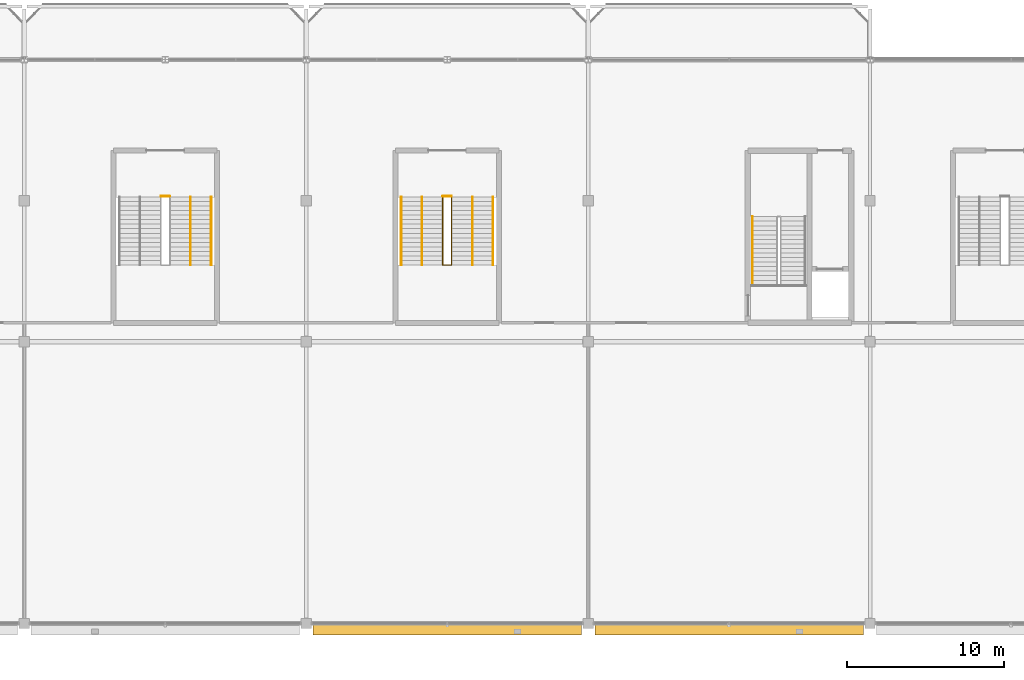
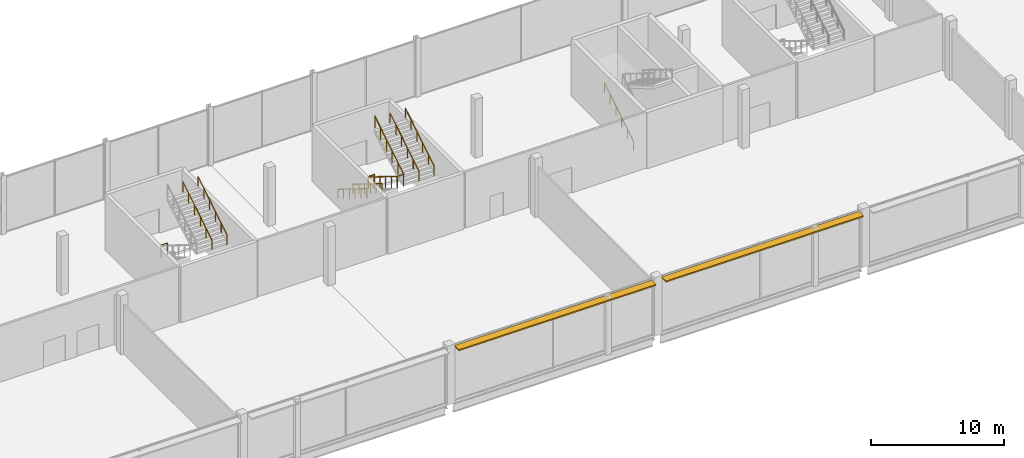
# One storey, part 99 of 113: 10 railings, 2 shading devices.
"""IFC4 building model written with IfcOpenShell, lengths in metres."""

from ifc_helpers import new_model, si_unit, direction, frame, origin, origin_2d, place, context, subcontext, project, spatial, rectangle, circle, extrude, material, type_object, element, save


model = new_model("IFC4")

# Units and contexts
model_context = context("Model", 3, precision=1e-05, world=origin(), true_north=direction((0.0, 1.0)))
body_context = subcontext(model_context, "Body", "Model", "MODEL_VIEW")
ifc_project = project(units=[si_unit("LENGTHUNIT", "METRE"), si_unit("AREAUNIT", "SQUARE_METRE"), si_unit("VOLUMEUNIT", "CUBIC_METRE"), si_unit("PLANEANGLEUNIT", "RADIAN"), si_unit("MASSUNIT", "GRAM", prefix="KILO")], contexts=[model_context])

# Site, building, storey
site_placement = place(None, origin())
site = spatial("IfcSite", under=ifc_project, at=site_placement, CompositionType="ELEMENT")
building_placement = place(site_placement, origin())
building = spatial("IfcBuilding", under=site, at=building_placement, Name="Kisiwana Market Hall", CompositionType="ELEMENT")
storey_placement = place(building_placement, frame((0.0, 0.0, 6.0)))
storey = spatial("IfcBuildingStorey", under=building, at=storey_placement, Name="L01", CompositionType="ELEMENT", Elevation=6.0)

# Railings
ifc_material_1 = material(Name="Steel S275", Category="steel")
railing_type_1 = type_object("IfcRailingType", Name="RL-GUARD-1100", PredefinedType="GUARDRAIL", material=ifc_material_1)
railing_1_placement = place(storey_placement, frame((89.719970703125, 27.2900390625, 0.0)))
element("IfcRailing", 1, at=railing_1_placement, inside=storey, type_object=railing_type_1, Name="Stair ST-S4-L01 landing edge guardrail (RL-444)", PredefinedType="GUARDRAIL", context=body_context, shape_type="SweptSolid", body=[
    extrude(circle(Radius=0.02392578125, at=origin_2d()), frame((0.0, 0.0, 1.076171875), z_axis=(1.0, 0.0, 0.0), x_axis=(0.0, 1.0, 0.0)), (0.0, 0.0, 1.0), 0.56005859375),
    extrude(circle(Radius=0.02099609375, at=origin_2d()), origin(), (0.0, 0.0, 1.0), 1.052001953125),
    extrude(circle(Radius=0.02099609375, at=origin_2d()), frame((0.56005859375, 0.0, 0.0)), (0.0, 0.0, 1.0), 1.052001953125),
])
railing_2_placement = place(storey_placement, frame((107.719970703125, 27.239990234375, 0.0)))
element("IfcRailing", 2, at=railing_2_placement, inside=storey, type_object=railing_type_1, Name="Stair ST-S5-L01 inner-well guardrail (RL-451)", PredefinedType="GUARDRAIL", context=body_context, shape_type="SweptSolid", body=[
    extrude(circle(Radius=0.02392578125, at=origin_2d()), frame((0.0, 0.0, 1.076171875), z_axis=(0.0, -0.849649743971, 0.527347430608), x_axis=(1.0, 0.0, 0.0)), (0.0, 0.0, 1.0), 5.119873046875),
    extrude(circle(Radius=0.02392578125, at=origin_2d()), frame((0.0, -4.35009765625, 3.77587890625), z_axis=(1.0, 0.0, 0.0), x_axis=(0.0, 1.0, 0.0)), (0.0, 0.0, 1.0), 0.56005859375),
    extrude(circle(Radius=0.02392578125, at=origin_2d()), frame((0.56005859375, -4.35009765625, 3.77587890625), z_axis=(0.0, 0.849649743971, 0.527347430608), x_axis=(-1.0, 0.0, 0.0)), (0.0, 0.0, 1.0), 5.119873046875),
    extrude(circle(Radius=0.02099609375, at=origin_2d()), origin(), (0.0, 0.0, 1.0), 1.052001953125),
    extrude(circle(Radius=0.02099609375, at=origin_2d()), frame((0.0, -0.8701171875, 0.5400390625)), (0.0, 0.0, 1.0), 1.052001953125),
    extrude(circle(Radius=0.02099609375, at=origin_2d()), frame((0.0, -1.739990234375, 1.080078125)), (0.0, 0.0, 1.0), 1.052001953125),
    extrude(circle(Radius=0.02099609375, at=origin_2d()), frame((0.0, -2.610107421875, 1.619873046875)), (0.0, 0.0, 1.0), 1.052001953125),
    extrude(circle(Radius=0.02099609375, at=origin_2d()), frame((0.0, -3.47998046875, 2.159912109375)), (0.0, 0.0, 1.0), 1.052001953125),
    extrude(circle(Radius=0.02099609375, at=origin_2d()), frame((0.0, -4.35009765625, 2.699951171875)), (0.0, 0.0, 1.0), 1.052001953125),
    extrude(circle(Radius=0.02099609375, at=origin_2d()), frame((0.56005859375, -4.35009765625, 2.699951171875)), (0.0, 0.0, 1.0), 1.052001953125),
    extrude(circle(Radius=0.02099609375, at=origin_2d()), frame((0.56005859375, -3.47998046875, 3.239990234375)), (0.0, 0.0, 1.0), 1.052001953125),
    extrude(circle(Radius=0.02099609375, at=origin_2d()), frame((0.56005859375, -2.610107421875, 3.780029296875)), (0.0, 0.0, 1.0), 1.052001953125),
    extrude(circle(Radius=0.02099609375, at=origin_2d()), frame((0.56005859375, -1.739990234375, 4.31982421875)), (0.0, 0.0, 1.0), 1.052001953125),
    extrude(circle(Radius=0.02099609375, at=origin_2d()), frame((0.56005859375, -0.8701171875, 4.85986328125)), (0.0, 0.0, 1.0), 1.052001953125),
    extrude(circle(Radius=0.02099609375, at=origin_2d()), frame((0.56005859375, 0.0, 5.39990234375)), (0.0, 0.0, 1.0), 1.052001953125),
])
railing_3_placement = place(storey_placement, frame((107.719970703125, 27.2900390625, 0.0)))
element("IfcRailing", 3, at=railing_3_placement, inside=storey, type_object=railing_type_1, Name="Stair ST-S5-L01 landing edge guardrail (RL-456)", PredefinedType="GUARDRAIL", context=body_context, shape_type="SweptSolid", body=[
    extrude(circle(Radius=0.02392578125, at=origin_2d()), frame((0.0, 0.0, 1.076171875), z_axis=(1.0, 0.0, 0.0), x_axis=(0.0, 1.0, 0.0)), (0.0, 0.0, 1.0), 0.56005859375),
    extrude(circle(Radius=0.02099609375, at=origin_2d()), origin(), (0.0, 0.0, 1.0), 1.052001953125),
    extrude(circle(Radius=0.02099609375, at=origin_2d()), frame((0.56005859375, 0.0, 0.0)), (0.0, 0.0, 1.0), 1.052001953125),
])
ifc_material_2 = material(Name="Steel S275", Category="steel")
railing_type_2 = type_object("IfcRailingType", Name="RL-HAND-900", PredefinedType="HANDRAIL", material=ifc_material_2)
for number, where, name in (
    (4, (127.5, 21.62939453125, 0.0), "Stair ST-S2-L01 flight 1 handrail (RL-332)"),
    (5, (92.929931640625, 22.889892578125, 2.699951171875), "Stair ST-S4-L01 flight 2 handrail (RL-441)"),
    (6, (91.610107421875, 22.889892578125, 2.699951171875), "Stair ST-S4-L01 flight 2 intermediate handrail (RL-443)"),
):
    element("IfcRailing", number, at=place(storey_placement, frame(where)), inside=storey, type_object=railing_type_2, Name=name, PredefinedType="HANDRAIL", context=body_context, shape_type="SweptSolid", body=[
        extrude(circle(Radius=0.02392578125, at=origin_2d()), frame((0.0, 0.0, 0.8759765625), z_axis=(0.0, 0.849649743971, 0.527347430608), x_axis=(-1.0, 0.0, 0.0)), (0.0, 0.0, 1.0), 5.119873046875),
        extrude(circle(Radius=0.02099609375, at=origin_2d()), origin(), (0.0, 0.0, 1.0), 0.851806640625),
        extrude(circle(Radius=0.02099609375, at=origin_2d()), frame((0.0, 0.8701171875, 0.5400390625)), (0.0, 0.0, 1.0), 0.851806640625),
        extrude(circle(Radius=0.02099609375, at=origin_2d()), frame((0.0, 1.739990234375, 1.080078125)), (0.0, 0.0, 1.0), 0.851806640625),
        extrude(circle(Radius=0.02099609375, at=origin_2d()), frame((0.0, 2.610107421875, 1.619873046875)), (0.0, 0.0, 1.0), 0.851806640625),
        extrude(circle(Radius=0.02099609375, at=origin_2d()), frame((0.0, 3.47998046875, 2.159912109375)), (0.0, 0.0, 1.0), 0.851806640625),
        extrude(circle(Radius=0.02099609375, at=origin_2d()), frame((0.0, 4.35009765625, 2.699951171875)), (0.0, 0.0, 1.0), 0.851806640625),
    ])
railing_4_placement = place(storey_placement, frame((105.070068359375, 27.239990234375, 0.0)))
element("IfcRailing", 7, at=railing_4_placement, inside=storey, type_object=railing_type_2, Name="Stair ST-S5-L01 flight 1 handrail (RL-452)", PredefinedType="HANDRAIL", context=body_context, shape_type="SweptSolid", body=[
    extrude(circle(Radius=0.02392578125, at=origin_2d()), frame((0.0, 0.0, 0.8759765625), z_axis=(0.0, -0.849649743971, 0.527347430608), x_axis=(1.0, 0.0, 0.0)), (0.0, 0.0, 1.0), 5.119873046875),
    extrude(circle(Radius=0.02099609375, at=origin_2d()), origin(), (0.0, 0.0, 1.0), 0.851806640625),
    extrude(circle(Radius=0.02099609375, at=origin_2d()), frame((0.0, -0.8701171875, 0.5400390625)), (0.0, 0.0, 1.0), 0.851806640625),
    extrude(circle(Radius=0.02099609375, at=origin_2d()), frame((0.0, -1.739990234375, 1.080078125)), (0.0, 0.0, 1.0), 0.851806640625),
    extrude(circle(Radius=0.02099609375, at=origin_2d()), frame((0.0, -2.610107421875, 1.619873046875)), (0.0, 0.0, 1.0), 0.851806640625),
    extrude(circle(Radius=0.02099609375, at=origin_2d()), frame((0.0, -3.47998046875, 2.159912109375)), (0.0, 0.0, 1.0), 0.851806640625),
    extrude(circle(Radius=0.02099609375, at=origin_2d()), frame((0.0, -4.35009765625, 2.699951171875)), (0.0, 0.0, 1.0), 0.851806640625),
])
railing_5_placement = place(storey_placement, frame((110.929931640625, 22.889892578125, 2.699951171875)))
element("IfcRailing", 8, at=railing_5_placement, inside=storey, type_object=railing_type_2, Name="Stair ST-S5-L01 flight 2 handrail (RL-453)", PredefinedType="HANDRAIL", context=body_context, shape_type="SweptSolid", body=[
    extrude(circle(Radius=0.02392578125, at=origin_2d()), frame((0.0, 0.0, 0.8759765625), z_axis=(0.0, 0.849649743971, 0.527347430608), x_axis=(-1.0, 0.0, 0.0)), (0.0, 0.0, 1.0), 5.119873046875),
    extrude(circle(Radius=0.02099609375, at=origin_2d()), origin(), (0.0, 0.0, 1.0), 0.851806640625),
    extrude(circle(Radius=0.02099609375, at=origin_2d()), frame((0.0, 0.8701171875, 0.5400390625)), (0.0, 0.0, 1.0), 0.851806640625),
    extrude(circle(Radius=0.02099609375, at=origin_2d()), frame((0.0, 1.739990234375, 1.080078125)), (0.0, 0.0, 1.0), 0.851806640625),
    extrude(circle(Radius=0.02099609375, at=origin_2d()), frame((0.0, 2.610107421875, 1.619873046875)), (0.0, 0.0, 1.0), 0.851806640625),
    extrude(circle(Radius=0.02099609375, at=origin_2d()), frame((0.0, 3.47998046875, 2.159912109375)), (0.0, 0.0, 1.0), 0.851806640625),
    extrude(circle(Radius=0.02099609375, at=origin_2d()), frame((0.0, 4.35009765625, 2.699951171875)), (0.0, 0.0, 1.0), 0.851806640625),
])
railing_6_placement = place(storey_placement, frame((106.389892578125, 27.239990234375, 0.0)))
element("IfcRailing", 9, at=railing_6_placement, inside=storey, type_object=railing_type_2, Name="Stair ST-S5-L01 flight 1 intermediate handrail (RL-454)", PredefinedType="HANDRAIL", context=body_context, shape_type="SweptSolid", body=[
    extrude(circle(Radius=0.02392578125, at=origin_2d()), frame((0.0, 0.0, 0.8759765625), z_axis=(0.0, -0.849649743971, 0.527347430608), x_axis=(1.0, 0.0, 0.0)), (0.0, 0.0, 1.0), 5.119873046875),
    extrude(circle(Radius=0.02099609375, at=origin_2d()), origin(), (0.0, 0.0, 1.0), 0.851806640625),
    extrude(circle(Radius=0.02099609375, at=origin_2d()), frame((0.0, -0.8701171875, 0.5400390625)), (0.0, 0.0, 1.0), 0.851806640625),
    extrude(circle(Radius=0.02099609375, at=origin_2d()), frame((0.0, -1.739990234375, 1.080078125)), (0.0, 0.0, 1.0), 0.851806640625),
    extrude(circle(Radius=0.02099609375, at=origin_2d()), frame((0.0, -2.610107421875, 1.619873046875)), (0.0, 0.0, 1.0), 0.851806640625),
    extrude(circle(Radius=0.02099609375, at=origin_2d()), frame((0.0, -3.47998046875, 2.159912109375)), (0.0, 0.0, 1.0), 0.851806640625),
    extrude(circle(Radius=0.02099609375, at=origin_2d()), frame((0.0, -4.35009765625, 2.699951171875)), (0.0, 0.0, 1.0), 0.851806640625),
])
railing_7_placement = place(storey_placement, frame((109.610107421875, 22.889892578125, 2.699951171875)))
element("IfcRailing", 10, at=railing_7_placement, inside=storey, type_object=railing_type_2, Name="Stair ST-S5-L01 flight 2 intermediate handrail (RL-455)", PredefinedType="HANDRAIL", context=body_context, shape_type="SweptSolid", body=[
    extrude(circle(Radius=0.02392578125, at=origin_2d()), frame((0.0, 0.0, 0.8759765625), z_axis=(0.0, 0.849649743971, 0.527347430608), x_axis=(-1.0, 0.0, 0.0)), (0.0, 0.0, 1.0), 5.119873046875),
    extrude(circle(Radius=0.02099609375, at=origin_2d()), origin(), (0.0, 0.0, 1.0), 0.851806640625),
    extrude(circle(Radius=0.02099609375, at=origin_2d()), frame((0.0, 0.8701171875, 0.5400390625)), (0.0, 0.0, 1.0), 0.851806640625),
    extrude(circle(Radius=0.02099609375, at=origin_2d()), frame((0.0, 1.739990234375, 1.080078125)), (0.0, 0.0, 1.0), 0.851806640625),
    extrude(circle(Radius=0.02099609375, at=origin_2d()), frame((0.0, 2.610107421875, 1.619873046875)), (0.0, 0.0, 1.0), 0.851806640625),
    extrude(circle(Radius=0.02099609375, at=origin_2d()), frame((0.0, 3.47998046875, 2.159912109375)), (0.0, 0.0, 1.0), 0.851806640625),
    extrude(circle(Radius=0.02099609375, at=origin_2d()), frame((0.0, 4.35009765625, 2.699951171875)), (0.0, 0.0, 1.0), 0.851806640625),
])

# Shading devices
ifc_material_3 = material(Name="Aluminium alloy 6063-T6", Category="aluminium")
shading_device_type = type_object("IfcShadingDeviceType", Name="SHD-JALOUSIE-H", PredefinedType="JALOUSIE", material=ifc_material_3)
for number, where, z_axis, x_axis, name in (
    (11, (108.0, -0.419921875, 4.969970703125), (0.0, 0.0, 1.0), (1.0, 0.0, 0.0), "Aluminium brise-soleil louvre SHD-014 SD-014"),
    (12, (126.0, -0.419921875, 4.969970703125), (0.0, 0.0, 1.0), (1.0, 0.0, 0.0), "Aluminium brise-soleil louvre SHD-015 SD-015"),
):
    element("IfcShadingDevice", number, at=place(storey_placement, frame(where, z_axis=z_axis, x_axis=x_axis)), inside=storey, type_object=shading_device_type, Name=name, PredefinedType="JALOUSIE", context=body_context, shape_type="SweptSolid", body=[
        extrude(rectangle(XDim=17.14990234375, YDim=0.64990234375, at=origin_2d()), origin(), (0.0, 0.0, 1.0), 0.1201171875),
    ])

save(model, "model.ifc")
